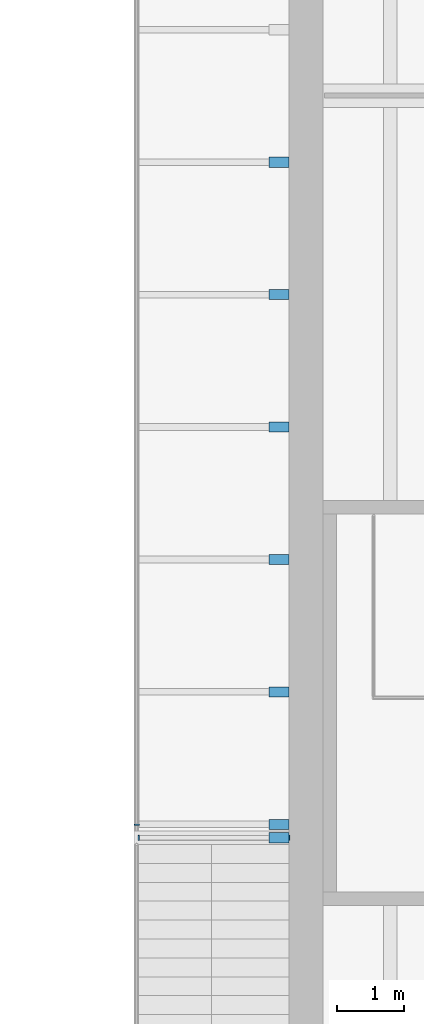
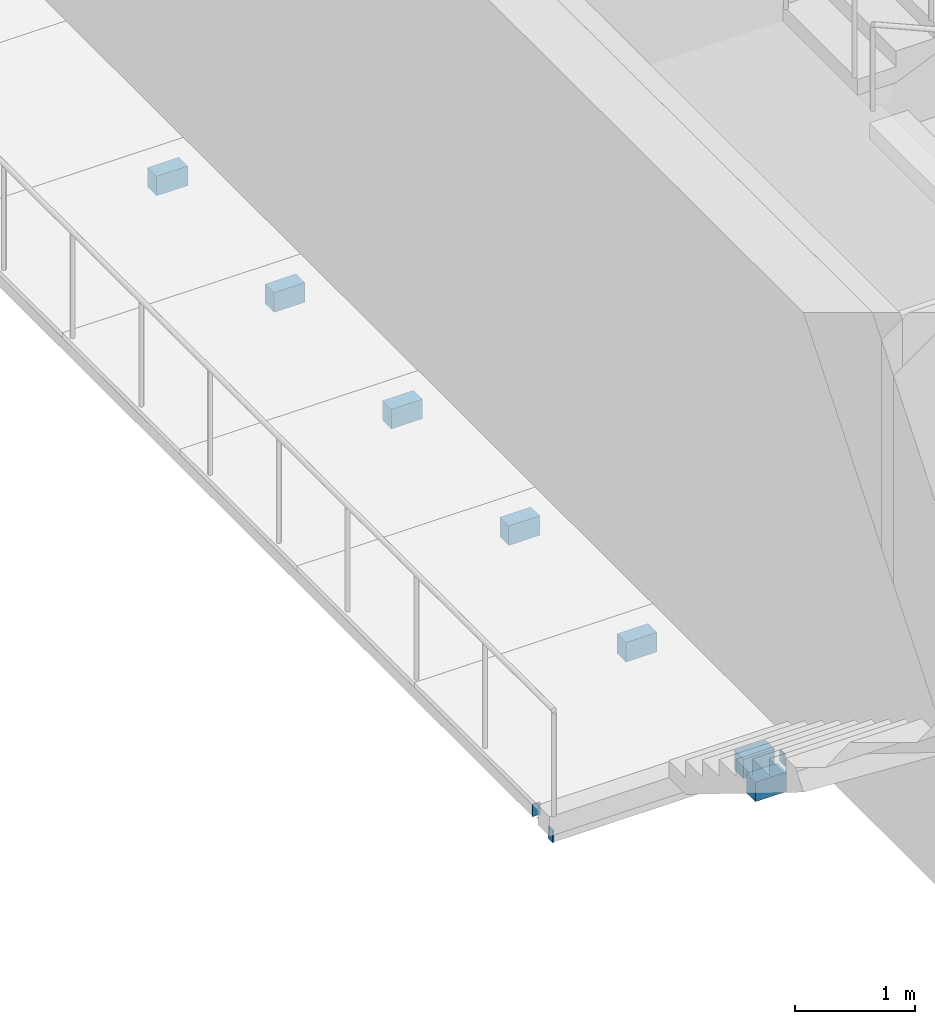
# One storey, part 42 of 70: 10 discrete accessories.
"""IFC4 building model written with IfcOpenShell, lengths in metres."""

from ifc_helpers import new_model, si_unit, direction, frame, origin, origin_2d, place, context, subcontext, project, spatial, rectangle, extrude, material, material_profile, profile_set, type_object, element, save


model = new_model("IFC4")

# Units and contexts
model_context = context("Model", 3, precision=1e-05, world=origin(), true_north=direction((0.0, 1.0)))
body_context = subcontext(model_context, "Body", "Model", "MODEL_VIEW")
ifc_project = project(units=[si_unit("LENGTHUNIT", "METRE"), si_unit("AREAUNIT", "SQUARE_METRE"), si_unit("VOLUMEUNIT", "CUBIC_METRE"), si_unit("PLANEANGLEUNIT", "RADIAN"), si_unit("MASSUNIT", "GRAM", prefix="KILO")], contexts=[model_context])

# Site, building, storey
site_placement = place(None, origin())
site = spatial("IfcSite", under=ifc_project, at=site_placement, CompositionType="ELEMENT")
building_placement = place(site_placement, origin())
building = spatial("IfcBuilding", under=site, at=building_placement, Name="Saffron Lane Theatres", CompositionType="ELEMENT")
storey_placement = place(building_placement, frame((0.0, 0.0, 12.0)))
storey = spatial("IfcBuildingStorey", under=building, at=storey_placement, Name="L02", CompositionType="ELEMENT", Elevation=12.0)

# Discrete accessories
ifc_material = material(Name="Steel Grade 350", Category="steel")
ifc_material_profile = material_profile(ifc_material, rectangle(XDim=0.074951171875, YDim=0.125, at=origin_2d()))
ifc_profile_set = profile_set([ifc_material_profile], Name="Steel Grade 350")
discrete_accessory_type = type_object("IfcDiscreteAccessoryType", Name="ST-STEEL END CAP 125x75x5 RHS", PredefinedType="ANCHORPLATE", material=ifc_profile_set)
for number, where, z_axis, x_axis, name in (
    (1, (45.262939453125, 37.0, -0.262451171875), (1.0, 0.0, 0.0), (0.0, 1.0, 0.0), "EC595"),
    (2, (47.5, 37.0, -0.262451171875), (1.0, 0.0, 0.0), (0.0, 1.0, 0.0), "EC596"),
    (3, (45.237548828125, 37.18798828125, -0.112548828125), (0.0, 1.0, 0.0), (-1.0, 0.0, 0.0), "EC597"),
):
    element("IfcDiscreteAccessory", number, at=place(storey_placement, frame(where, z_axis=z_axis, x_axis=x_axis)), inside=storey, type_object=discrete_accessory_type, Name=name, PredefinedType="ANCHORPLATE", context=body_context, shape_type="SweptSolid", body=[
        extrude(rectangle(XDim=0.074951171875, YDim=0.125, at=origin_2d()), origin(), (0.0, 0.0, 1.0), 0.011962890625),
    ])
for number, where, z_axis, x_axis, name in (
    (4, (47.35009765625, 37.0, -0.5615234375), (0.0, 0.0, 1.0), (1.0, 0.0, 0.0), "FKE12-1"),
    (5, (47.35009765625, 37.199951171875, -0.44775390625), (0.0, 0.0, 1.0), (1.0, 0.0, 0.0), "FKE12-2"),
    (6, (47.35009765625, 39.16259765625, -0.44775390625), (0.0, 0.0, 1.0), (1.0, 0.0, 0.0), "FKE12-3"),
    (7, (47.35009765625, 41.125, -0.44775390625), (0.0, 0.0, 1.0), (1.0, 0.0, 0.0), "FKE12-4"),
    (8, (47.35009765625, 43.08740234375, -0.44775390625), (0.0, 0.0, 1.0), (1.0, 0.0, 0.0), "FKE12-5"),
    (9, (47.35009765625, 45.050048828125, -0.44775390625), (0.0, 0.0, 1.0), (1.0, 0.0, 0.0), "FKE12-6"),
    (10, (47.35009765625, 47.012451171875, -0.44775390625), (0.0, 0.0, 1.0), (1.0, 0.0, 0.0), "FKE12-7"),
):
    element("IfcDiscreteAccessory", number, at=place(storey_placement, frame(where, z_axis=z_axis, x_axis=x_axis)), inside=storey, Name=name, PredefinedType="BRACKET", context=body_context, shape_type="SweptSolid", body=[
        extrude(rectangle(XDim=0.300048828125, YDim=0.14990234375, at=origin_2d()), origin(), (0.0, 0.0, 1.0), 0.199951171875),
    ])

save(model, "model.ifc")
